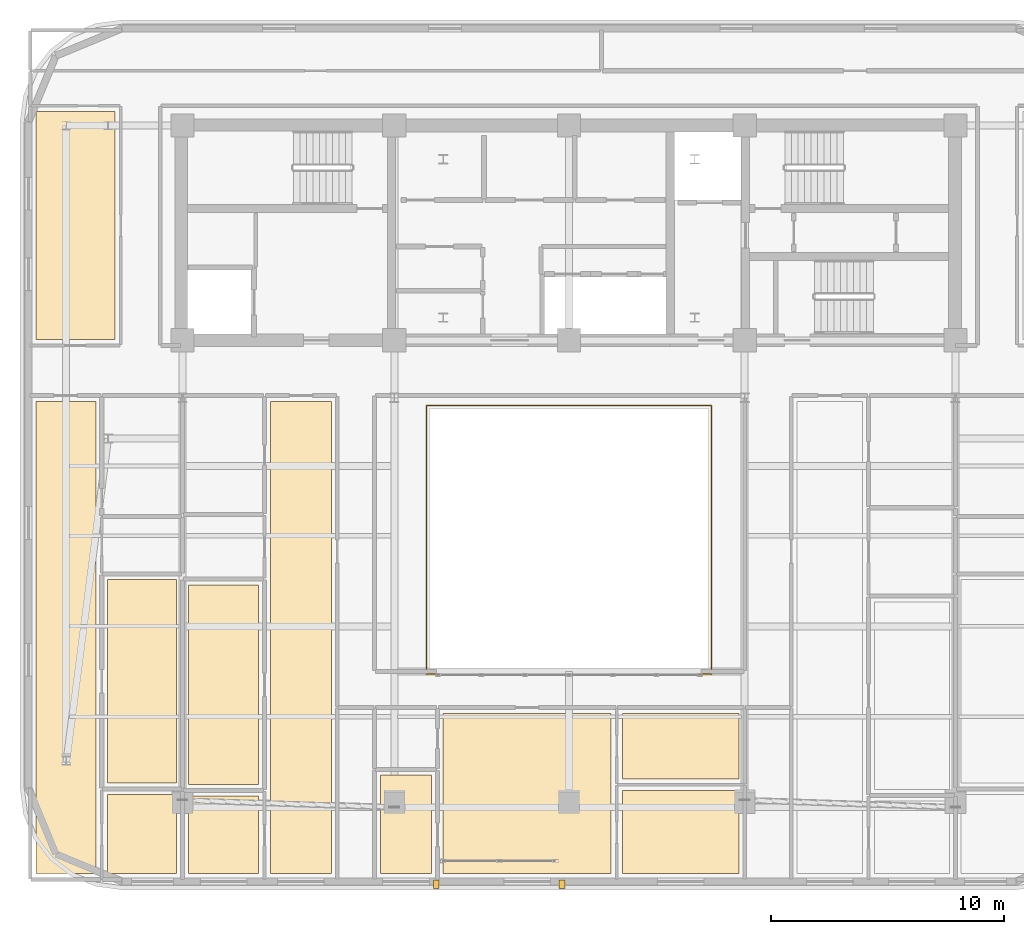
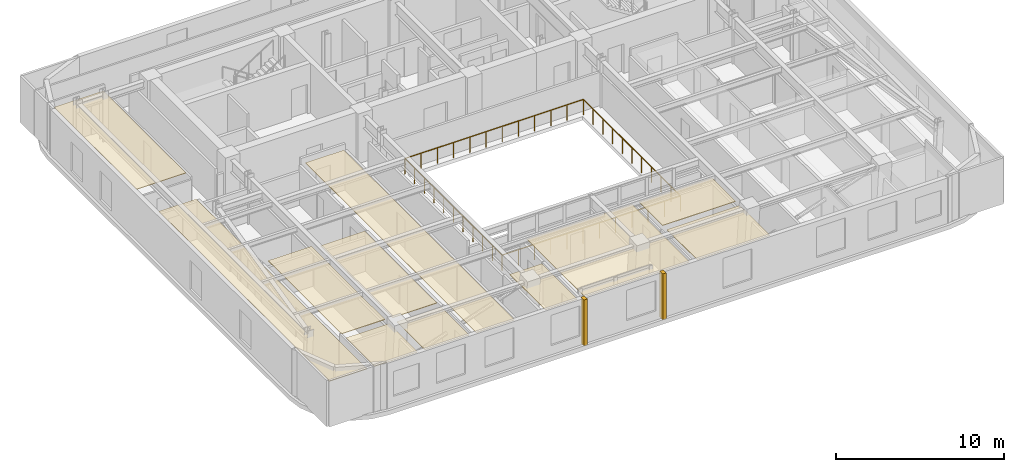
# One storey, part 12 of 15: 13 coverings, 1 railing.
"""IFC4 building model written with IfcOpenShell, lengths in metres."""

import ifcopenshell
import ifcopenshell.guid

model = None  # the IFC model being written
_history = None  # IfcOwnerHistory: only IFC2X3 demands one
_inside = {}  # id of a spatial element -> (the spatial element, [elements in it])
_under = {}  # id of a project, library or spatial element -> (it, [spatial elements below it])
_declared = {}  # id of a project -> (the project, [libraries it declares])
_typed = {}  # id of a type object -> (the type object, [elements of that type])
_made_of = {}  # id of a material, layer set ... -> (it, [elements and type objects made of it])


def new_model(schema):
    """Start an empty IFC model of exactly this schema.

    Asked for "IFC4X3", IfcOpenShell would pick the latest addendum, in which some entities
    have other attributes; the version numbers below select the first issue.
    IFC2X3 requires an IfcOwnerHistory on every rooted entity: one is made here for all.
    """
    global model, _history
    if schema == "IFC4X3":
        model = ifcopenshell.file(schema_version=(4, 3, 0, 0))
    else:
        model = ifcopenshell.file(schema=schema)
    _inside.clear()
    _under.clear()
    _declared.clear()
    _typed.clear()
    _made_of.clear()
    _history = None
    if model.schema == "IFC2X3":
        org = make("IfcOrganization", Name="unknown")
        user = make(
            "IfcPersonAndOrganization",
            ThePerson=make("IfcPerson", FamilyName="unknown"),
            TheOrganization=org,
        )
        app = make(
            "IfcApplication",
            ApplicationDeveloper=org,
            Version="unknown",
            ApplicationFullName="unknown",
            ApplicationIdentifier="unknown",
        )
        _history = make(
            "IfcOwnerHistory",
            OwningUser=user,
            OwningApplication=app,
            ChangeAction="ADDED",
            CreationDate=0,
        )
    return model


def make(cls, **values):
    """One entity of the class cls with the attributes given. An attribute that is None is left unset."""
    return model.create_entity(
        cls, **{name: value for name, value in values.items() if value is not None}
    )


def rooted(cls, **values):
    """An entity with a GlobalId (a new one), such as an element, a storey or a relation."""
    return make(cls, GlobalId=ifcopenshell.guid.new(), OwnerHistory=_history, **values)


def si_unit(unit_type, name, prefix=None):
    """IfcSIUnit, for example si_unit("LENGTHUNIT", "METRE", prefix="MILLI")."""
    return make("IfcSIUnit", UnitType=unit_type, Prefix=prefix, Name=name)


def assignment(units):
    """IfcUnitAssignment: the units of a project."""
    return None if units is None else make("IfcUnitAssignment", Units=units)


def point(xyz):
    """IfcCartesianPoint."""
    return None if xyz is None else make("IfcCartesianPoint", Coordinates=xyz)


def direction(xyz):
    """IfcDirection."""
    return None if xyz is None else make("IfcDirection", DirectionRatios=xyz)


def frame(location, z_axis=None, x_axis=None):
    """IfcAxis2Placement3D, a coordinate frame: its origin and axes. An axis left out is left unset."""
    return make(
        "IfcAxis2Placement3D",
        Location=point(location),
        Axis=direction(z_axis),
        RefDirection=direction(x_axis),
    )


def frame_2d(location, x_axis=None):
    """IfcAxis2Placement2D, a coordinate frame in the plane: its origin and x axis."""
    return make(
        "IfcAxis2Placement2D", Location=point(location), RefDirection=direction(x_axis)
    )


def origin():
    """The frame at (0, 0, 0) with its axes left unset."""
    return frame((0.0, 0.0, 0.0))


def origin_2d():
    """The frame at (0, 0) in the plane with its x axis left unset."""
    return frame_2d((0.0, 0.0))


def place(relative_to, where):
    """IfcLocalPlacement: puts the frame where relative to a parent placement (None: the world)."""
    return make(
        "IfcLocalPlacement", PlacementRelTo=relative_to, RelativePlacement=where
    )


def context(
    kind, dimensions, precision=None, world=None, true_north=None, identifier=None
):
    """IfcGeometricRepresentationContext, for example the 3D "Model" context."""
    return make(
        "IfcGeometricRepresentationContext",
        ContextIdentifier=identifier,
        ContextType=kind,
        CoordinateSpaceDimension=dimensions,
        Precision=precision,
        WorldCoordinateSystem=world,
        TrueNorth=true_north,
    )


def subcontext(parent, identifier, kind, view, scale=None):
    """IfcGeometricRepresentationSubContext, for example "Body" below "Model"."""
    return make(
        "IfcGeometricRepresentationSubContext",
        ContextIdentifier=identifier,
        ContextType=kind,
        ParentContext=parent,
        TargetScale=scale,
        TargetView=view,
    )


def project(units=None, contexts=None):
    """IfcProject with its units and contexts."""
    return rooted(
        "IfcProject",
        Name="project",
        RepresentationContexts=contexts,
        UnitsInContext=assignment(units),
    )


def spatial(cls, under=None, at=None, **own):
    """A site, building, storey or space (cls), placed at a placement, below another one or the project."""
    s = rooted(cls, ObjectPlacement=at, **own)
    if under is not None:
        _under.setdefault(under.id(), (under, []))[1].append(s)
    return s


def polyline(points):
    """IfcPolyline through the points."""
    return make("IfcPolyline", Points=[point(p) for p in points])


def profile(cls, at=None, kind="AREA", **sizes):
    """A parametric profile (cls). Its sizes go by their IFC names, for example OverallWidth=200.0."""
    return make(cls, ProfileType=kind, Position=at, **sizes)


def rectangle(**sizes):
    """IfcRectangleProfileDef."""
    return profile("IfcRectangleProfileDef", **sizes)


def outline(outer, holes=None, kind="AREA"):
    """IfcArbitraryClosedProfileDef: a profile drawn as a closed curve; with holes, ...WithVoids."""
    if holes is None:
        return make("IfcArbitraryClosedProfileDef", ProfileType=kind, OuterCurve=outer)
    return make(
        "IfcArbitraryProfileDefWithVoids",
        ProfileType=kind,
        OuterCurve=outer,
        InnerCurves=holes,
    )


def extrude(swept, where, along, depth):
    """IfcExtrudedAreaSolid: the profile swept, set in the frame where, extruded along a direction by depth."""
    return make(
        "IfcExtrudedAreaSolid",
        SweptArea=swept,
        Position=where,
        ExtrudedDirection=direction(along),
        Depth=depth,
    )


def shape(context_of_items, identifier, shape_type, items):
    """IfcShapeRepresentation: the items that make up one representation, for example the "Body"."""
    return make(
        "IfcShapeRepresentation",
        ContextOfItems=context_of_items,
        RepresentationIdentifier=identifier,
        RepresentationType=shape_type,
        Items=items,
    )


def material(Name=None, Category=None):
    """IfcMaterial."""
    return make("IfcMaterial", Name=Name, Category=Category)


def layer(
    of_material, thickness, ventilated=None, Name=None, Category=None, Priority=None
):
    """IfcMaterialLayer: one layer of a wall or slab, of a material (None: an air gap)."""
    return make(
        "IfcMaterialLayer",
        Material=of_material,
        LayerThickness=thickness,
        IsVentilated=ventilated,
        Name=Name,
        Category=Category,
        Priority=Priority,
    )


def layer_set(layers, Name=None):
    """IfcMaterialLayerSet."""
    return make("IfcMaterialLayerSet", MaterialLayers=layers, LayerSetName=Name)


def made_of(thing, what):
    """Note that an element or type object is made of a material, layer set ...; save() writes the relation."""
    if what is not None:
        _made_of.setdefault(what.id(), (what, []))[1].append(thing)
    return thing


def type_object(cls, material=None, **own):
    """A type object (cls), such as IfcWallType, which elements share."""
    return made_of(rooted(cls, **own), material)


def element(
    cls,
    number,
    at=None,
    inside=None,
    cuts=None,
    type_object=None,
    material=None,
    context=None,
    identifier="Body",
    shape_type=None,
    held_by="IfcProductDefinitionShape",
    body=None,
    shapes=None,
    **own,
):
    """One element of the class cls, such as IfcWall. Its Tag is "e" and its number.

    at: its placement. inside: the storey or other place that contains it. cuts: it is an
    opening in that element (IfcRelVoidsElement). A single representation is given by context,
    identifier, shape_type and body (its items); several are given by shapes. held_by: the class
    of the entity that holds the representations. save() writes the other relations.
    """
    e = rooted(cls, Tag="e%d" % number, ObjectPlacement=at, **own)
    if body is not None:
        shapes = [shape(context, identifier, shape_type, body)]
    if shapes is not None:
        e.Representation = make(held_by, Representations=shapes)
    if inside is not None:
        _inside.setdefault(inside.id(), (inside, []))[1].append(e)
    if cuts is not None:
        rooted(
            "IfcRelVoidsElement", RelatingBuildingElement=cuts, RelatedOpeningElement=e
        )
    if type_object is not None:
        _typed.setdefault(type_object.id(), (type_object, []))[1].append(e)
    return made_of(e, material)


def aggregate(whole, parts):
    """IfcRelAggregates: a whole, such as a stair, and the parts it consists of."""
    return rooted("IfcRelAggregates", RelatingObject=whole, RelatedObjects=parts)


def save(model, path):
    """Write the relations noted so far, then the file.

    IfcRelAggregates (storeys below a building ...), IfcRelContainedInSpatialStructure (elements
    in a storey), IfcRelDefinesByType, IfcRelAssociatesMaterial and IfcRelDeclares: one each for
    every whole, place, type object, material and project.
    """
    for whole, parts in _under.values():
        aggregate(whole, parts)
    for where, things in _inside.values():
        rooted(
            "IfcRelContainedInSpatialStructure",
            RelatedElements=things,
            RelatingStructure=where,
        )
    for kind, things in _typed.values():
        rooted("IfcRelDefinesByType", RelatedObjects=things, RelatingType=kind)
    for what, things in _made_of.values():
        rooted("IfcRelAssociatesMaterial", RelatedObjects=things, RelatingMaterial=what)
    for by, libraries in _declared.values():
        rooted("IfcRelDeclares", RelatingContext=by, RelatedDefinitions=libraries)
    model.write(path)


model = new_model("IFC4")

# Units and contexts
model_context = context("Model", 3, precision=1e-05, world=origin(), true_north=direction((0.0, 1.0)))
body_context = subcontext(model_context, "Body", "Model", "MODEL_VIEW")
ifc_project = project(units=[si_unit("LENGTHUNIT", "METRE"), si_unit("AREAUNIT", "SQUARE_METRE"), si_unit("VOLUMEUNIT", "CUBIC_METRE"), si_unit("PLANEANGLEUNIT", "RADIAN"), si_unit("MASSUNIT", "GRAM", prefix="KILO")], contexts=[model_context])

# Site, building, storey
site_placement = place(None, origin())
site = spatial("IfcSite", under=ifc_project, at=site_placement, CompositionType="ELEMENT")
building_placement = place(site_placement, origin())
building = spatial("IfcBuilding", under=site, at=building_placement, Name="Zarnavel Station Tower", CompositionType="ELEMENT")
storey_placement = place(building_placement, frame((0.0, 0.0, 200.39990234375)))
storey = spatial("IfcBuildingStorey", under=building, at=storey_placement, Name="L54", CompositionType="ELEMENT", Elevation=200.39990234375)

# Coverings
ifc_material_1 = material(Name="Perforated Gypsum and Mineral-Wool Acoustic Ceiling", Category="concrete")
ifc_layer = layer(ifc_material_1, 0.0400390625)
ifc_layer_set = layer_set([ifc_layer], Name="COV_CEIL_ACOUSTIC")
covering_type_1 = type_object("IfcCoveringType", Name="COV_CEIL_ACOUSTIC", PredefinedType="CEILING", material=ifc_layer_set)
covering_1_placement = place(storey_placement, frame((0.0, 0.0, 3.02001953125)))
element("IfcCovering", 1, at=covering_1_placement, inside=storey, type_object=covering_type_1, Name="L54 FNW Acoustic Ceiling", PredefinedType="CEILING", context=body_context, shape_type="SweptSolid", body=[
    extrude(outline(polyline([(5.909912109375, 27.85009765625), (9.300048828125, 27.85009765625), (9.300048828125, 37.64990234375), (5.909912109375, 37.64990234375), (5.909912109375, 27.85009765625)])), origin(), (0.0, 0.0, 1.0), 0.0400390625),
])
covering_2_placement = place(storey_placement, frame((0.0, 0.0, 3.02001953125)))
element("IfcCovering", 2, at=covering_2_placement, inside=storey, type_object=covering_type_1, Name="L54 UW1LV Acoustic Ceiling", PredefinedType="CEILING", context=body_context, shape_type="SweptSolid", body=[
    extrude(outline(polyline([(5.909912109375, 4.909912109375), (8.48388671875, 4.909912109375), (8.48388671875, 25.199951171875), (5.909912109375, 25.199951171875), (5.909912109375, 4.909912109375)])), origin(), (0.0, 0.0, 1.0), 0.0400390625),
])
covering_3_placement = place(storey_placement, frame((0.0, 0.0, 3.02001953125)))
element("IfcCovering", 3, at=covering_3_placement, inside=storey, type_object=covering_type_1, Name="L54 UW1B1 Acoustic Ceiling", PredefinedType="CEILING", context=body_context, shape_type="SweptSolid", body=[
    extrude(outline(polyline([(8.98388671875, 4.909912109375), (11.949951171875, 4.909912109375), (11.949951171875, 8.304931640625), (8.98388671875, 8.304931640625), (8.98388671875, 4.909912109375)])), origin(), (0.0, 0.0, 1.0), 0.0400390625),
])
covering_4_placement = place(storey_placement, frame((0.0, 0.0, 3.02001953125)))
element("IfcCovering", 4, at=covering_4_placement, inside=storey, type_object=covering_type_1, Name="L54 UW1KT Acoustic Ceiling", PredefinedType="CEILING", context=body_context, shape_type="SweptSolid", body=[
    extrude(outline(polyline([(8.98388671875, 8.804931640625), (11.949951171875, 8.804931640625), (11.949951171875, 17.5380859375), (8.98388671875, 17.5380859375), (8.98388671875, 8.804931640625)])), origin(), (0.0, 0.0, 1.0), 0.0400390625),
])
covering_5_placement = place(storey_placement, frame((0.0, 0.0, 3.02001953125)))
element("IfcCovering", 5, at=covering_5_placement, inside=storey, type_object=covering_type_1, Name="L54 UW2LV Acoustic Ceiling", PredefinedType="CEILING", context=body_context, shape_type="SweptSolid", body=[
    extrude(outline(polyline([(15.97509765625, 4.909912109375), (18.60009765625, 4.909912109375), (18.60009765625, 25.199951171875), (15.97509765625, 25.199951171875), (15.97509765625, 4.909912109375)])), origin(), (0.0, 0.0, 1.0), 0.0400390625),
])
covering_6_placement = place(storey_placement, frame((0.0, 0.0, 3.02001953125)))
element("IfcCovering", 6, at=covering_6_placement, inside=storey, type_object=covering_type_1, Name="L54 UW2B1 Acoustic Ceiling", PredefinedType="CEILING", context=body_context, shape_type="SweptSolid", body=[
    extrude(outline(polyline([(12.449951171875, 4.909912109375), (15.47509765625, 4.909912109375), (15.47509765625, 8.239990234375), (12.449951171875, 8.239990234375), (12.449951171875, 4.909912109375)])), origin(), (0.0, 0.0, 1.0), 0.0400390625),
])
covering_7_placement = place(storey_placement, frame((0.0, 0.0, 3.02001953125)))
element("IfcCovering", 7, at=covering_7_placement, inside=storey, type_object=covering_type_1, Name="L54 UW2KT Acoustic Ceiling", PredefinedType="CEILING", context=body_context, shape_type="SweptSolid", body=[
    extrude(outline(polyline([(12.449951171875, 8.739990234375), (15.47509765625, 8.739990234375), (15.47509765625, 17.318115234375), (12.449951171875, 17.318115234375), (12.449951171875, 8.739990234375)])), origin(), (0.0, 0.0, 1.0), 0.0400390625),
])
covering_8_placement = place(storey_placement, frame((0.0, 0.0, 3.02001953125)))
element("IfcCovering", 8, at=covering_8_placement, inside=storey, type_object=covering_type_1, Name="L54 US1LV Acoustic Ceiling", PredefinedType="CEILING", context=body_context, shape_type="SweptSolid", body=[
    extrude(outline(polyline([(23.39990234375, 4.909912109375), (30.60009765625, 4.909912109375), (30.60009765625, 11.800048828125), (23.39990234375, 11.800048828125), (23.39990234375, 4.909912109375)])), origin(), (0.0, 0.0, 1.0), 0.0400390625),
])
covering_9_placement = place(storey_placement, frame((0.0, 0.0, 3.02001953125)))
element("IfcCovering", 9, at=covering_9_placement, inside=storey, type_object=covering_type_1, Name="L54 US1KT Acoustic Ceiling", PredefinedType="CEILING", context=body_context, shape_type="SweptSolid", body=[
    extrude(outline(polyline([(20.699951171875, 4.909912109375), (22.89990234375, 4.909912109375), (22.89990234375, 9.139892578125), (20.699951171875, 9.139892578125), (20.699951171875, 4.909912109375)])), origin(), (0.0, 0.0, 1.0), 0.0400390625),
])
covering_10_placement = place(storey_placement, frame((0.0, 0.0, 3.02001953125)))
element("IfcCovering", 10, at=covering_10_placement, inside=storey, type_object=covering_type_1, Name="L54 US1B1 Acoustic Ceiling", PredefinedType="CEILING", context=body_context, shape_type="SweptSolid", body=[
    extrude(outline(polyline([(31.10009765625, 4.909912109375), (36.10009765625, 4.909912109375), (36.10009765625, 8.485107421875), (31.10009765625, 8.485107421875), (31.10009765625, 4.909912109375)])), origin(), (0.0, 0.0, 1.0), 0.0400390625),
])
covering_11_placement = place(storey_placement, frame((0.0, 0.0, 3.02001953125)))
element("IfcCovering", 11, at=covering_11_placement, inside=storey, type_object=covering_type_1, Name="L54 US1B2 Acoustic Ceiling", PredefinedType="CEILING", context=body_context, shape_type="SweptSolid", body=[
    extrude(outline(polyline([(31.10009765625, 8.985107421875), (36.10009765625, 8.985107421875), (36.10009765625, 11.800048828125), (31.10009765625, 11.800048828125), (31.10009765625, 8.985107421875)])), origin(), (0.0, 0.0, 1.0), 0.0400390625),
])
ifc_material_2 = material(Name="Precast concrete C45/55 (Pale Travertine Slab Band)", Category="masonry")
covering_type_2 = type_object("IfcCoveringType", Name="COV_TRAVERTINE_BAND", PredefinedType="CLADDING", material=ifc_material_2)
for number, where, z_axis, x_axis, name in (
    (12, (23.10009765625, 4.449951171875, 0.0), (0.0, 0.0, 1.0), (1.0, 0.0, 0.0), "L54 Travertine Portal Loggia Vertical Jog West"),
    (13, (28.5, 4.449951171875, 0.0), (0.0, 0.0, 1.0), (1.0, 0.0, 0.0), "L54 Travertine Portal Loggia Vertical Jog East"),
):
    element("IfcCovering", number, at=place(storey_placement, frame(where, z_axis=z_axis, x_axis=x_axis)), inside=storey, type_object=covering_type_2, Name=name, PredefinedType="CLADDING", context=body_context, shape_type="SweptSolid", body=[
        extrude(rectangle(XDim=0.239990234375, YDim=0.360107421875, at=origin_2d()), origin(), (0.0, 0.0, 1.0), 3.340087890625),
    ])

# Railing
ifc_material_3 = material(Name="Painted Steel S355J2 Balustrade", Category="steel")
railing_type = type_object("IfcRailingType", Name="GR_INT_1150", PredefinedType="GUARDRAIL", material=ifc_material_3)
railing_placement = place(storey_placement, frame((22.679931640625, 13.47998046875, 0.0)))
element("IfcRailing", 14, at=railing_placement, inside=storey, type_object=railing_type, Name="L54 Atrium Void Guardrail", PredefinedType="GUARDRAIL", context=body_context, shape_type="SweptSolid", body=[
    extrude(rectangle(XDim=0.048095703125, YDim=0.048095703125, at=origin_2d()), frame((0.001953125, 0.0, 1.1259765625), z_axis=(1.0, 0.0, 0.0), x_axis=(0.0, 1.0, 0.0)), (0.0, 0.0, 1.0), 12.236083984375),
    extrude(rectangle(XDim=0.048095703125, YDim=0.048095703125, at=origin_2d()), frame((12.239990234375, 0.001953125, 1.1259765625), z_axis=(0.0, 1.0, 0.0), x_axis=(-1.0, 0.0, 0.0)), (0.0, 0.0, 1.0), 11.5361328125),
    extrude(rectangle(XDim=0.048095703125, YDim=0.048095703125, at=origin_2d()), frame((12.238037109375, 11.5400390625, 1.1259765625), z_axis=(-1.0, 0.0, 0.0), x_axis=(0.0, -1.0, 0.0)), (0.0, 0.0, 1.0), 12.236083984375),
    extrude(rectangle(XDim=0.048095703125, YDim=0.048095703125, at=origin_2d()), frame((0.0, 11.5380859375, 1.1259765625), z_axis=(0.0, -1.0, 0.0), x_axis=(1.0, 0.0, 0.0)), (0.0, 0.0, 1.0), 11.5361328125),
    extrude(rectangle(XDim=0.0419921875, YDim=0.0419921875, at=origin_2d()), origin(), (0.0, 0.0, 1.0), 1.101806640625),
    extrude(rectangle(XDim=0.0419921875, YDim=0.0419921875, at=origin_2d()), frame((1.11279296875, 0.0, 0.0)), (0.0, 0.0, 1.0), 1.101806640625),
    extrude(rectangle(XDim=0.0419921875, YDim=0.0419921875, at=origin_2d()), frame((2.225341796875, 0.0, 0.0)), (0.0, 0.0, 1.0), 1.101806640625),
    extrude(rectangle(XDim=0.0419921875, YDim=0.0419921875, at=origin_2d()), frame((3.338134765625, 0.0, 0.0)), (0.0, 0.0, 1.0), 1.101806640625),
    extrude(rectangle(XDim=0.0419921875, YDim=0.0419921875, at=origin_2d()), frame((4.450927734375, 0.0, 0.0)), (0.0, 0.0, 1.0), 1.101806640625),
    extrude(rectangle(XDim=0.0419921875, YDim=0.0419921875, at=origin_2d()), frame((5.563720703125, 0.0, 0.0)), (0.0, 0.0, 1.0), 1.101806640625),
    extrude(rectangle(XDim=0.0419921875, YDim=0.0419921875, at=origin_2d()), frame((6.67626953125, 0.0, 0.0)), (0.0, 0.0, 1.0), 1.101806640625),
    extrude(rectangle(XDim=0.0419921875, YDim=0.0419921875, at=origin_2d()), frame((7.7890625, 0.0, 0.0)), (0.0, 0.0, 1.0), 1.101806640625),
    extrude(rectangle(XDim=0.0419921875, YDim=0.0419921875, at=origin_2d()), frame((8.90185546875, 0.0, 0.0)), (0.0, 0.0, 1.0), 1.101806640625),
    extrude(rectangle(XDim=0.0419921875, YDim=0.0419921875, at=origin_2d()), frame((10.0146484375, 0.0, 0.0)), (0.0, 0.0, 1.0), 1.101806640625),
    extrude(rectangle(XDim=0.0419921875, YDim=0.0419921875, at=origin_2d()), frame((11.127197265625, 0.0, 0.0)), (0.0, 0.0, 1.0), 1.101806640625),
    extrude(rectangle(XDim=0.0419921875, YDim=0.0419921875, at=origin_2d()), frame((12.239990234375, 0.0, 0.0)), (0.0, 0.0, 1.0), 1.101806640625),
    extrude(rectangle(XDim=0.0419921875, YDim=0.0419921875, at=origin_2d()), frame((12.239990234375, 1.154052734375, 0.0)), (0.0, 0.0, 1.0), 1.101806640625),
    extrude(rectangle(XDim=0.0419921875, YDim=0.0419921875, at=origin_2d()), frame((12.239990234375, 2.30810546875, 0.0)), (0.0, 0.0, 1.0), 1.101806640625),
    extrude(rectangle(XDim=0.0419921875, YDim=0.0419921875, at=origin_2d()), frame((12.239990234375, 3.4619140625, 0.0)), (0.0, 0.0, 1.0), 1.101806640625),
    extrude(rectangle(XDim=0.0419921875, YDim=0.0419921875, at=origin_2d()), frame((12.239990234375, 4.615966796875, 0.0)), (0.0, 0.0, 1.0), 1.101806640625),
    extrude(rectangle(XDim=0.0419921875, YDim=0.0419921875, at=origin_2d()), frame((12.239990234375, 5.77001953125, 0.0)), (0.0, 0.0, 1.0), 1.101806640625),
    extrude(rectangle(XDim=0.0419921875, YDim=0.0419921875, at=origin_2d()), frame((12.239990234375, 6.924072265625, 0.0)), (0.0, 0.0, 1.0), 1.101806640625),
    extrude(rectangle(XDim=0.0419921875, YDim=0.0419921875, at=origin_2d()), frame((12.239990234375, 8.078125, 0.0)), (0.0, 0.0, 1.0), 1.101806640625),
    extrude(rectangle(XDim=0.0419921875, YDim=0.0419921875, at=origin_2d()), frame((12.239990234375, 9.23193359375, 0.0)), (0.0, 0.0, 1.0), 1.101806640625),
    extrude(rectangle(XDim=0.0419921875, YDim=0.0419921875, at=origin_2d()), frame((12.239990234375, 10.385986328125, 0.0)), (0.0, 0.0, 1.0), 1.101806640625),
    extrude(rectangle(XDim=0.0419921875, YDim=0.0419921875, at=origin_2d()), frame((12.239990234375, 11.5400390625, 0.0)), (0.0, 0.0, 1.0), 1.101806640625),
    extrude(rectangle(XDim=0.0419921875, YDim=0.0419921875, at=origin_2d()), frame((11.127197265625, 11.5400390625, 0.0)), (0.0, 0.0, 1.0), 1.101806640625),
    extrude(rectangle(XDim=0.0419921875, YDim=0.0419921875, at=origin_2d()), frame((10.0146484375, 11.5400390625, 0.0)), (0.0, 0.0, 1.0), 1.101806640625),
    extrude(rectangle(XDim=0.0419921875, YDim=0.0419921875, at=origin_2d()), frame((8.90185546875, 11.5400390625, 0.0)), (0.0, 0.0, 1.0), 1.101806640625),
    extrude(rectangle(XDim=0.0419921875, YDim=0.0419921875, at=origin_2d()), frame((7.7890625, 11.5400390625, 0.0)), (0.0, 0.0, 1.0), 1.101806640625),
    extrude(rectangle(XDim=0.0419921875, YDim=0.0419921875, at=origin_2d()), frame((6.67626953125, 11.5400390625, 0.0)), (0.0, 0.0, 1.0), 1.101806640625),
    extrude(rectangle(XDim=0.0419921875, YDim=0.0419921875, at=origin_2d()), frame((5.563720703125, 11.5400390625, 0.0)), (0.0, 0.0, 1.0), 1.101806640625),
    extrude(rectangle(XDim=0.0419921875, YDim=0.0419921875, at=origin_2d()), frame((4.450927734375, 11.5400390625, 0.0)), (0.0, 0.0, 1.0), 1.101806640625),
    extrude(rectangle(XDim=0.0419921875, YDim=0.0419921875, at=origin_2d()), frame((3.338134765625, 11.5400390625, 0.0)), (0.0, 0.0, 1.0), 1.101806640625),
    extrude(rectangle(XDim=0.0419921875, YDim=0.0419921875, at=origin_2d()), frame((2.225341796875, 11.5400390625, 0.0)), (0.0, 0.0, 1.0), 1.101806640625),
    extrude(rectangle(XDim=0.0419921875, YDim=0.0419921875, at=origin_2d()), frame((1.11279296875, 11.5400390625, 0.0)), (0.0, 0.0, 1.0), 1.101806640625),
    extrude(rectangle(XDim=0.0419921875, YDim=0.0419921875, at=origin_2d()), frame((0.0, 11.5400390625, 0.0)), (0.0, 0.0, 1.0), 1.101806640625),
    extrude(rectangle(XDim=0.0419921875, YDim=0.0419921875, at=origin_2d()), frame((0.0, 10.385986328125, 0.0)), (0.0, 0.0, 1.0), 1.101806640625),
    extrude(rectangle(XDim=0.0419921875, YDim=0.0419921875, at=origin_2d()), frame((0.0, 9.23193359375, 0.0)), (0.0, 0.0, 1.0), 1.101806640625),
    extrude(rectangle(XDim=0.0419921875, YDim=0.0419921875, at=origin_2d()), frame((0.0, 8.078125, 0.0)), (0.0, 0.0, 1.0), 1.101806640625),
    extrude(rectangle(XDim=0.0419921875, YDim=0.0419921875, at=origin_2d()), frame((0.0, 6.924072265625, 0.0)), (0.0, 0.0, 1.0), 1.101806640625),
    extrude(rectangle(XDim=0.0419921875, YDim=0.0419921875, at=origin_2d()), frame((0.0, 5.77001953125, 0.0)), (0.0, 0.0, 1.0), 1.101806640625),
    extrude(rectangle(XDim=0.0419921875, YDim=0.0419921875, at=origin_2d()), frame((0.0, 4.615966796875, 0.0)), (0.0, 0.0, 1.0), 1.101806640625),
    extrude(rectangle(XDim=0.0419921875, YDim=0.0419921875, at=origin_2d()), frame((0.0, 3.4619140625, 0.0)), (0.0, 0.0, 1.0), 1.101806640625),
    extrude(rectangle(XDim=0.0419921875, YDim=0.0419921875, at=origin_2d()), frame((0.0, 2.30810546875, 0.0)), (0.0, 0.0, 1.0), 1.101806640625),
    extrude(rectangle(XDim=0.0419921875, YDim=0.0419921875, at=origin_2d()), frame((0.0, 1.154052734375, 0.0)), (0.0, 0.0, 1.0), 1.101806640625),
])

save(model, "model.ifc")
